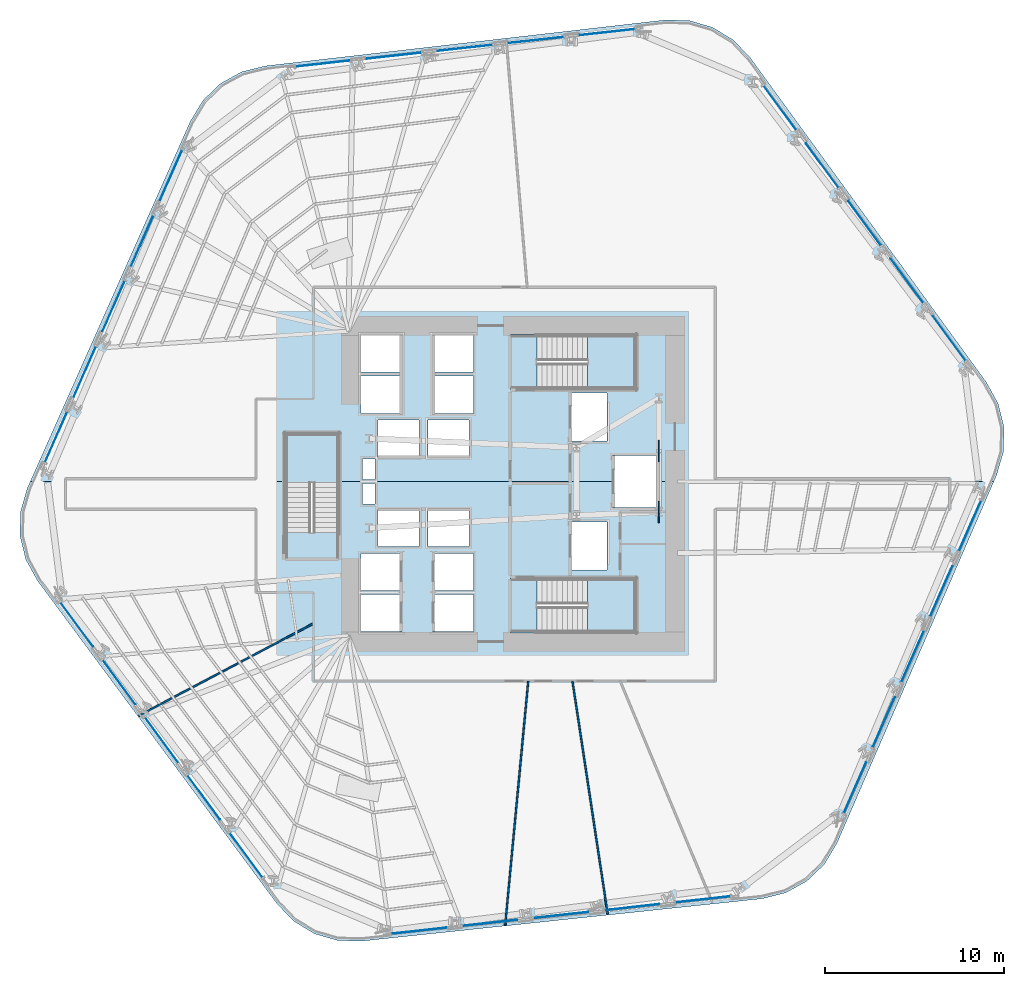
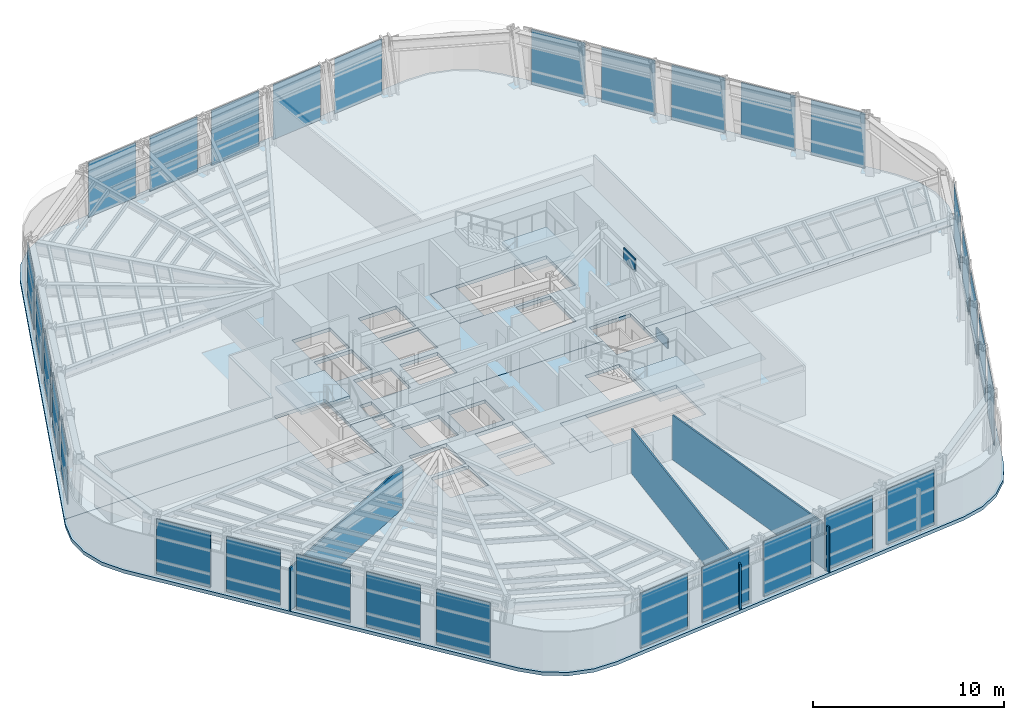
# One storey, part 7 of 16: 32 plates, 8 slabs, 3 walls, 9 elements without a shape of their own.
"""IFC4 building model written with IfcOpenShell, lengths in metres."""

from ifc_helpers import new_model, si_unit, direction, frame, frame_2d, origin, origin_2d, place, context, subcontext, project, spatial, polyline, rectangle, outline, extrude, material, layer, layer_set, type_object, element, aggregate, save


model = new_model("IFC4")

# Units and contexts
model_context = context("Model", 3, precision=1e-05, world=origin(), true_north=direction((0.0, 1.0)))
body_context = subcontext(model_context, "Body", "Model", "MODEL_VIEW")
ifc_project = project(units=[si_unit("LENGTHUNIT", "METRE"), si_unit("AREAUNIT", "SQUARE_METRE"), si_unit("VOLUMEUNIT", "CUBIC_METRE"), si_unit("PLANEANGLEUNIT", "RADIAN"), si_unit("MASSUNIT", "GRAM", prefix="KILO")], contexts=[model_context])

# Site, building, storey
site_placement = place(None, origin())
site = spatial("IfcSite", under=ifc_project, at=site_placement, CompositionType="ELEMENT")
building_placement = place(site_placement, origin())
building = spatial("IfcBuilding", under=site, at=building_placement, Name="Valkerne Bourse Tower", CompositionType="ELEMENT")
storey_placement = place(building_placement, frame((0.0, 0.0, 50.60009765625)))
storey = spatial("IfcBuildingStorey", under=building, at=storey_placement, Name="L12", CompositionType="ELEMENT", Elevation=50.60009765625)

# Curtain wall, plates
ifc_material_1 = material(Name="Aluminium AA 6063-T6", Category="aluminium")
ifc_layer_1 = layer(ifc_material_1, 0.22509765625)
ifc_layer_set_1 = layer_set([ifc_layer_1], Name="Aluminium AA 6063-T6")
curtain_wall_type = type_object("IfcCurtainWallType", Name="CW-01", PredefinedType="NOTDEFINED", material=ifc_layer_set_1)
curtain_wall_1_placement = place(storey_placement, origin())
curtain_wall_1 = element("IfcCurtainWall", 1, at=curtain_wall_1_placement, inside=storey, type_object=curtain_wall_type, Name="L12 Hexagonal Stick Curtain Wall Face 1", PredefinedType="NOTDEFINED")
ifc_material_2 = material(Name="Glass IGU Low-E Double Glazed", Category="glass")
ifc_layer_2 = layer(ifc_material_2, 0.031982421875)
ifc_layer_set_2 = layer_set([ifc_layer_2], Name="Glass IGU Low-E Double Glazed")
plate_type_1 = type_object("IfcPlateType", Name="CW-PNL-IGU-32", PredefinedType="CURTAIN_PANEL", material=ifc_layer_set_2)
plate_1_placement = place(storey_placement, frame((71.173583984375, 34.98779296875, 0.02978515625), z_axis=(0.0, 0.0, 1.0), x_axis=(-0.592010093635, 0.805930548518, 0.0)))
plate_1 = element("IfcPlate", 2, at=plate_1_placement, type_object=plate_type_1, Name="CW-L12-F1 Curtain Panel 00", PredefinedType="CURTAIN_PANEL", context=body_context, shape_type="SweptSolid", body=[
    extrude(rectangle(XDim=3.075927734375, YDim=0.031982421875, at=origin_2d()), origin(), (0.0, 0.0, 1.0), 3.52001953125),
])
plate_2_placement = place(storey_placement, frame((68.80810546875, 38.208251953125, 0.02978515625), z_axis=(0.0, 0.0, 1.0), x_axis=(-0.592014408049, 0.805927379273, 0.0)))
plate_2 = element("IfcPlate", 3, at=plate_2_placement, type_object=plate_type_1, Name="CW-L12-F1 Curtain Panel 01", PredefinedType="CURTAIN_PANEL", context=body_context, shape_type="SweptSolid", body=[
    extrude(rectangle(XDim=3.075927734375, YDim=0.031982421875, at=origin_2d()), origin(), (0.0, 0.0, 1.0), 3.52001953125),
])
plate_3_placement = place(storey_placement, frame((66.4423828125, 41.4287109375, 0.02978515625), z_axis=(0.0, 0.0, 1.0), x_axis=(-0.592014408049, 0.805927379273, 0.0)))
plate_3 = element("IfcPlate", 4, at=plate_3_placement, type_object=plate_type_1, Name="CW-L12-F1 Curtain Panel 02", PredefinedType="CURTAIN_PANEL", context=body_context, shape_type="SweptSolid", body=[
    extrude(rectangle(XDim=3.075927734375, YDim=0.031982421875, at=origin_2d()), origin(), (0.0, 0.0, 1.0), 3.52001953125),
])
plate_4_placement = place(storey_placement, frame((64.07666015625, 44.649169921875, 0.02978515625), z_axis=(0.0, 0.0, 1.0), x_axis=(-0.592014408049, 0.805927379273, 0.0)))
plate_4 = element("IfcPlate", 5, at=plate_4_placement, type_object=plate_type_1, Name="CW-L12-F1 Curtain Panel 03", PredefinedType="CURTAIN_PANEL", context=body_context, shape_type="SweptSolid", body=[
    extrude(rectangle(XDim=3.075927734375, YDim=0.031982421875, at=origin_2d()), origin(), (0.0, 0.0, 1.0), 3.52001953125),
])
plate_5_placement = place(storey_placement, frame((61.7109375, 47.86962890625, 0.02978515625), z_axis=(0.0, 0.0, 1.0), x_axis=(-0.592014408049, 0.805927379273, 0.0)))
plate_5 = element("IfcPlate", 6, at=plate_5_placement, type_object=plate_type_1, Name="CW-L12-F1 Curtain Panel 04", PredefinedType="CURTAIN_PANEL", context=body_context, shape_type="SweptSolid", body=[
    extrude(rectangle(XDim=3.075927734375, YDim=0.031982421875, at=origin_2d()), origin(), (0.0, 0.0, 1.0), 3.52001953125),
])
aggregate(curtain_wall_1, [plate_1, plate_2, plate_3, plate_4, plate_5])

curtain_wall_2_placement = place(storey_placement, origin())
curtain_wall_2 = element("IfcCurtainWall", 7, at=curtain_wall_2_placement, inside=storey, type_object=curtain_wall_type, Name="L12 Hexagonal Stick Curtain Wall Face 2", PredefinedType="NOTDEFINED")
plate_6_placement = place(storey_placement, frame((52.069091796875, 52.10205078125, 0.02978515625), z_axis=(0.0, 0.0, 1.0), x_axis=(-0.993961005743, -0.109733855587, 0.0)))
plate_6 = element("IfcPlate", 8, at=plate_6_placement, type_object=plate_type_1, Name="CW-L12-F2 Curtain Panel 00", PredefinedType="CURTAIN_PANEL", context=body_context, shape_type="SweptSolid", body=[
    extrude(rectangle(XDim=3.075927734375, YDim=0.031982421875, at=origin_2d()), origin(), (0.0, 0.0, 1.0), 3.52001953125),
])
plate_7_placement = place(storey_placement, frame((48.097412109375, 51.66357421875, 0.02978515625), z_axis=(0.0, 0.0, 1.0), x_axis=(-0.993960704395, -0.109736585139, 0.0)))
plate_7 = element("IfcPlate", 9, at=plate_7_placement, type_object=plate_type_1, Name="CW-L12-F2 Curtain Panel 01", PredefinedType="CURTAIN_PANEL", context=body_context, shape_type="SweptSolid", body=[
    extrude(rectangle(XDim=3.075927734375, YDim=0.031982421875, at=origin_2d()), origin(), (0.0, 0.0, 1.0), 3.52001953125),
])
plate_8_placement = place(storey_placement, frame((44.12548828125, 51.22509765625, 0.02978515625), z_axis=(0.0, 0.0, 1.0), x_axis=(-0.993961005743, -0.109733855587, 0.0)))
plate_8 = element("IfcPlate", 10, at=plate_8_placement, type_object=plate_type_1, Name="CW-L12-F2 Curtain Panel 02", PredefinedType="CURTAIN_PANEL", context=body_context, shape_type="SweptSolid", body=[
    extrude(rectangle(XDim=3.075927734375, YDim=0.031982421875, at=origin_2d()), origin(), (0.0, 0.0, 1.0), 3.52001953125),
])
plate_9_placement = place(storey_placement, frame((40.153564453125, 50.78662109375, 0.02978515625), z_axis=(0.0, 0.0, 1.0), x_axis=(-0.993961005743, -0.109733855587, 0.0)))
plate_9 = element("IfcPlate", 11, at=plate_9_placement, type_object=plate_type_1, Name="CW-L12-F2 Curtain Panel 03", PredefinedType="CURTAIN_PANEL", context=body_context, shape_type="SweptSolid", body=[
    extrude(rectangle(XDim=3.075927734375, YDim=0.031982421875, at=origin_2d()), origin(), (0.0, 0.0, 1.0), 3.52001953125),
])
plate_10_placement = place(storey_placement, frame((36.181884765625, 50.347900390625, 0.02978515625), z_axis=(0.0, 0.0, 1.0), x_axis=(-0.993960704395, -0.109736585139, 0.0)))
plate_10 = element("IfcPlate", 12, at=plate_10_placement, type_object=plate_type_1, Name="CW-L12-F2 Curtain Panel 04", PredefinedType="CURTAIN_PANEL", context=body_context, shape_type="SweptSolid", body=[
    extrude(rectangle(XDim=3.075927734375, YDim=0.031982421875, at=origin_2d()), origin(), (0.0, 0.0, 1.0), 3.52001953125),
])
aggregate(curtain_wall_2, [plate_6, plate_7, plate_8, plate_9, plate_10])

curtain_wall_3_placement = place(storey_placement, origin())
curtain_wall_3 = element("IfcCurtainWall", 13, at=curtain_wall_3_placement, inside=storey, type_object=curtain_wall_type, Name="L12 Hexagonal Stick Curtain Wall Face 3", PredefinedType="NOTDEFINED")
plate_11_placement = place(storey_placement, frame((27.69580078125, 44.114501953125, 0.02978515625), z_axis=(0.0, 0.0, 1.0), x_axis=(-0.401950146606, -0.915661553001, 0.0)))
plate_11 = element("IfcPlate", 14, at=plate_11_placement, type_object=plate_type_1, Name="CW-L12-F3 Curtain Panel 00", PredefinedType="CURTAIN_PANEL", context=body_context, shape_type="SweptSolid", body=[
    extrude(rectangle(XDim=3.076171875, YDim=0.031982421875, at=origin_2d()), origin(), (0.0, 0.0, 1.0), 3.52001953125),
])
plate_12_placement = place(storey_placement, frame((26.089599609375, 40.455322265625, 0.02978515625), z_axis=(0.0, 0.0, 1.0), x_axis=(-0.401950146606, -0.915661553001, 0.0)))
plate_12 = element("IfcPlate", 15, at=plate_12_placement, type_object=plate_type_1, Name="CW-L12-F3 Curtain Panel 01", PredefinedType="CURTAIN_PANEL", context=body_context, shape_type="SweptSolid", body=[
    extrude(rectangle(XDim=3.076171875, YDim=0.031982421875, at=origin_2d()), origin(), (0.0, 0.0, 1.0), 3.52001953125),
])
plate_13_placement = place(storey_placement, frame((24.4833984375, 36.79638671875, 0.02978515625), z_axis=(0.0, 0.0, 1.0), x_axis=(-0.401950146606, -0.915661553001, 0.0)))
plate_13 = element("IfcPlate", 16, at=plate_13_placement, type_object=plate_type_1, Name="CW-L12-F3 Curtain Panel 02", PredefinedType="CURTAIN_PANEL", context=body_context, shape_type="SweptSolid", body=[
    extrude(rectangle(XDim=3.076171875, YDim=0.031982421875, at=origin_2d()), origin(), (0.0, 0.0, 1.0), 3.52001953125),
])
plate_14_placement = place(storey_placement, frame((22.877197265625, 33.13720703125, 0.02978515625), z_axis=(0.0, 0.0, 1.0), x_axis=(-0.401950146606, -0.915661553001, 0.0)))
plate_14 = element("IfcPlate", 17, at=plate_14_placement, type_object=plate_type_1, Name="CW-L12-F3 Curtain Panel 03", PredefinedType="CURTAIN_PANEL", context=body_context, shape_type="SweptSolid", body=[
    extrude(rectangle(XDim=3.076171875, YDim=0.031982421875, at=origin_2d()), origin(), (0.0, 0.0, 1.0), 3.52001953125),
])
plate_15_placement = place(storey_placement, frame((21.27099609375, 29.478271484375, 0.02978515625), z_axis=(0.0, 0.0, 1.0), x_axis=(-0.401929164496, -0.915670763281, 0.0)))
plate_15 = element("IfcPlate", 18, at=plate_15_placement, type_object=plate_type_1, Name="CW-L12-F3 Curtain Panel 04", PredefinedType="CURTAIN_PANEL", context=body_context, shape_type="SweptSolid", body=[
    extrude(rectangle(XDim=3.075927734375, YDim=0.031982421875, at=origin_2d()), origin(), (0.0, 0.0, 1.0), 3.52001953125),
])
aggregate(curtain_wall_3, [plate_11, plate_12, plate_13, plate_14, plate_15])

curtain_wall_4_placement = place(storey_placement, origin())
curtain_wall_4 = element("IfcCurtainWall", 19, at=curtain_wall_4_placement, inside=storey, type_object=curtain_wall_type, Name="L12 Hexagonal Stick Curtain Wall Face 4", PredefinedType="NOTDEFINED")
plate_16_placement = place(storey_placement, frame((22.42626953125, 19.01220703125, 0.02978515625), z_axis=(0.0, 0.0, 1.0), x_axis=(0.592010093635, -0.805930548518, 0.0)))
plate_16 = element("IfcPlate", 20, at=plate_16_placement, type_object=plate_type_1, Name="CW-L12-F4 Curtain Panel 00", PredefinedType="CURTAIN_PANEL", context=body_context, shape_type="SweptSolid", body=[
    extrude(rectangle(XDim=3.075927734375, YDim=0.031982421875, at=origin_2d()), origin(), (0.0, 0.0, 1.0), 3.52001953125),
])
plate_17_placement = place(storey_placement, frame((24.7919921875, 15.7919921875, 0.02978515625), z_axis=(0.0, 0.0, 1.0), x_axis=(0.592014408049, -0.805927379273, 0.0)))
plate_17 = element("IfcPlate", 21, at=plate_17_placement, type_object=plate_type_1, Name="CW-L12-F4 Curtain Panel 01", PredefinedType="CURTAIN_PANEL", context=body_context, shape_type="SweptSolid", body=[
    extrude(rectangle(XDim=3.075927734375, YDim=0.031982421875, at=origin_2d()), origin(), (0.0, 0.0, 1.0), 3.52001953125),
])
plate_18_placement = place(storey_placement, frame((27.15771484375, 12.5712890625, 0.02978515625), z_axis=(0.0, 0.0, 1.0), x_axis=(0.592014408049, -0.805927379273, 0.0)))
plate_18 = element("IfcPlate", 22, at=plate_18_placement, type_object=plate_type_1, Name="CW-L12-F4 Curtain Panel 02", PredefinedType="CURTAIN_PANEL", context=body_context, shape_type="SweptSolid", body=[
    extrude(rectangle(XDim=3.075927734375, YDim=0.031982421875, at=origin_2d()), origin(), (0.0, 0.0, 1.0), 3.52001953125),
])
plate_19_placement = place(storey_placement, frame((29.5234375, 9.350830078125, 0.02978515625), z_axis=(0.0, 0.0, 1.0), x_axis=(0.592014408049, -0.805927379273, 0.0)))
plate_19 = element("IfcPlate", 23, at=plate_19_placement, type_object=plate_type_1, Name="CW-L12-F4 Curtain Panel 03", PredefinedType="CURTAIN_PANEL", context=body_context, shape_type="SweptSolid", body=[
    extrude(rectangle(XDim=3.075927734375, YDim=0.031982421875, at=origin_2d()), origin(), (0.0, 0.0, 1.0), 3.52001953125),
])
plate_20_placement = place(storey_placement, frame((31.88916015625, 6.13037109375, 0.02978515625), z_axis=(0.0, 0.0, 1.0), x_axis=(0.592014408049, -0.805927379273, 0.0)))
plate_20 = element("IfcPlate", 24, at=plate_20_placement, type_object=plate_type_1, Name="CW-L12-F4 Curtain Panel 04", PredefinedType="CURTAIN_PANEL", context=body_context, shape_type="SweptSolid", body=[
    extrude(rectangle(XDim=3.075927734375, YDim=0.031982421875, at=origin_2d()), origin(), (0.0, 0.0, 1.0), 3.52001953125),
])
aggregate(curtain_wall_4, [plate_16, plate_17, plate_18, plate_19, plate_20])

curtain_wall_5_placement = place(storey_placement, origin())
curtain_wall_5 = element("IfcCurtainWall", 25, at=curtain_wall_5_placement, inside=storey, type_object=curtain_wall_type, Name="L12 Hexagonal Stick Curtain Wall Face 5", PredefinedType="NOTDEFINED")
plate_21_placement = place(storey_placement, frame((41.53076171875, 1.89794921875, 0.02978515625), z_axis=(0.0, 0.0, 1.0), x_axis=(0.993961005743, 0.109733855587, 0.0)))
plate_21 = element("IfcPlate", 26, at=plate_21_placement, type_object=plate_type_1, Name="CW-L12-F5 Curtain Panel 00", PredefinedType="CURTAIN_PANEL", context=body_context, shape_type="SweptSolid", body=[
    extrude(rectangle(XDim=3.075927734375, YDim=0.031982421875, at=origin_2d()), origin(), (0.0, 0.0, 1.0), 3.52001953125),
])
plate_22_placement = place(storey_placement, frame((45.502685546875, 2.33642578125, 0.02978515625), z_axis=(0.0, 0.0, 1.0), x_axis=(0.993960704395, 0.109736585139, 0.0)))
plate_22 = element("IfcPlate", 27, at=plate_22_placement, type_object=plate_type_1, Name="CW-L12-F5 Curtain Panel 01", PredefinedType="CURTAIN_PANEL", context=body_context, shape_type="SweptSolid", body=[
    extrude(rectangle(XDim=3.075927734375, YDim=0.031982421875, at=origin_2d()), origin(), (0.0, 0.0, 1.0), 3.52001953125),
])
plate_23_placement = place(storey_placement, frame((49.474609375, 2.77490234375, 0.02978515625), z_axis=(0.0, 0.0, 1.0), x_axis=(0.993961005743, 0.109733855587, 0.0)))
plate_23 = element("IfcPlate", 28, at=plate_23_placement, type_object=plate_type_1, Name="CW-L12-F5 Curtain Panel 02", PredefinedType="CURTAIN_PANEL", context=body_context, shape_type="SweptSolid", body=[
    extrude(rectangle(XDim=3.075927734375, YDim=0.031982421875, at=origin_2d()), origin(), (0.0, 0.0, 1.0), 3.52001953125),
])
plate_24_placement = place(storey_placement, frame((53.4462890625, 3.21337890625, 0.02978515625), z_axis=(0.0, 0.0, 1.0), x_axis=(0.993961005743, 0.109733855587, 0.0)))
plate_24 = element("IfcPlate", 29, at=plate_24_placement, type_object=plate_type_1, Name="CW-L12-F5 Curtain Panel 03", PredefinedType="CURTAIN_PANEL", context=body_context, shape_type="SweptSolid", body=[
    extrude(rectangle(XDim=3.075927734375, YDim=0.031982421875, at=origin_2d()), origin(), (0.0, 0.0, 1.0), 3.52001953125),
])
plate_25_placement = place(storey_placement, frame((57.418212890625, 3.652099609375, 0.02978515625), z_axis=(0.0, 0.0, 1.0), x_axis=(0.993960704395, 0.109736585139, 0.0)))
plate_25 = element("IfcPlate", 30, at=plate_25_placement, type_object=plate_type_1, Name="CW-L12-F5 Curtain Panel 04", PredefinedType="CURTAIN_PANEL", context=body_context, shape_type="SweptSolid", body=[
    extrude(rectangle(XDim=3.075927734375, YDim=0.031982421875, at=origin_2d()), origin(), (0.0, 0.0, 1.0), 3.52001953125),
])
aggregate(curtain_wall_5, [plate_21, plate_22, plate_23, plate_24, plate_25])

curtain_wall_6_placement = place(storey_placement, origin())
curtain_wall_6 = element("IfcCurtainWall", 31, at=curtain_wall_6_placement, inside=storey, type_object=curtain_wall_type, Name="L12 Hexagonal Stick Curtain Wall Face 6", PredefinedType="NOTDEFINED")
plate_26_placement = place(storey_placement, frame((65.904296875, 9.8857421875, 0.02978515625), z_axis=(0.0, 0.0, 1.0), x_axis=(0.401950146606, 0.915661553001, 0.0)))
plate_26 = element("IfcPlate", 32, at=plate_26_placement, type_object=plate_type_1, Name="CW-L12-F6 Curtain Panel 00", PredefinedType="CURTAIN_PANEL", context=body_context, shape_type="SweptSolid", body=[
    extrude(rectangle(XDim=3.076171875, YDim=0.031982421875, at=origin_2d()), origin(), (0.0, 0.0, 1.0), 3.52001953125),
])
plate_27_placement = place(storey_placement, frame((67.510498046875, 13.544677734375, 0.02978515625), z_axis=(0.0, 0.0, 1.0), x_axis=(0.401950146606, 0.915661553001, 0.0)))
plate_27 = element("IfcPlate", 33, at=plate_27_placement, type_object=plate_type_1, Name="CW-L12-F6 Curtain Panel 01", PredefinedType="CURTAIN_PANEL", context=body_context, shape_type="SweptSolid", body=[
    extrude(rectangle(XDim=3.076171875, YDim=0.031982421875, at=origin_2d()), origin(), (0.0, 0.0, 1.0), 3.52001953125),
])
plate_28_placement = place(storey_placement, frame((69.11669921875, 17.20361328125, 0.02978515625), z_axis=(0.0, 0.0, 1.0), x_axis=(0.401950146606, 0.915661553001, 0.0)))
plate_28 = element("IfcPlate", 34, at=plate_28_placement, type_object=plate_type_1, Name="CW-L12-F6 Curtain Panel 02", PredefinedType="CURTAIN_PANEL", context=body_context, shape_type="SweptSolid", body=[
    extrude(rectangle(XDim=3.076171875, YDim=0.031982421875, at=origin_2d()), origin(), (0.0, 0.0, 1.0), 3.52001953125),
])
plate_29_placement = place(storey_placement, frame((70.722900390625, 20.86279296875, 0.02978515625), z_axis=(0.0, 0.0, 1.0), x_axis=(0.401950146606, 0.915661553001, 0.0)))
plate_29 = element("IfcPlate", 35, at=plate_29_placement, type_object=plate_type_1, Name="CW-L12-F6 Curtain Panel 03", PredefinedType="CURTAIN_PANEL", context=body_context, shape_type="SweptSolid", body=[
    extrude(rectangle(XDim=3.076171875, YDim=0.031982421875, at=origin_2d()), origin(), (0.0, 0.0, 1.0), 3.52001953125),
])
plate_30_placement = place(storey_placement, frame((72.3291015625, 24.521728515625, 0.02978515625), z_axis=(0.0, 0.0, 1.0), x_axis=(0.401929164496, 0.915670763281, 0.0)))
plate_30 = element("IfcPlate", 36, at=plate_30_placement, type_object=plate_type_1, Name="CW-L12-F6 Curtain Panel 04", PredefinedType="CURTAIN_PANEL", context=body_context, shape_type="SweptSolid", body=[
    extrude(rectangle(XDim=3.075927734375, YDim=0.031982421875, at=origin_2d()), origin(), (0.0, 0.0, 1.0), 3.52001953125),
])
aggregate(curtain_wall_6, [plate_26, plate_27, plate_28, plate_29, plate_30])

# Plates
ifc_material_3 = material(Name="Steel ASTM A572 Grade 50", Category="steel")
ifc_layer_3 = layer(ifc_material_3, 0.06005859375)
ifc_layer_set_3 = layer_set([ifc_layer_3], Name="Steel ASTM A572 Grade 50")
plate_type_2 = type_object("IfcPlateType", Name="PLT-GUS-60", PredefinedType="SHEET", material=ifc_layer_set_3)
for number, where, z_axis, x_axis, name in (
    (37, (54.949951171875, 25.300048828125, -0.18017578125), (0.0, 0.0, 1.0), (0.0, 1.0, 0.0), "L12 Brace Node Gusset Plate PLT-GUS-END-L12-340"),
    (38, (54.949951171875, 28.699951171875, 2.8740234375), (0.0, 0.0, 1.0), (0.0, 1.0, 0.0), "L12 Brace Node Gusset Plate PLT-GUS-END-L12-341"),
):
    element("IfcPlate", number, at=place(storey_placement, frame(where, z_axis=z_axis, x_axis=x_axis)), inside=storey, type_object=plate_type_2, Name=name, PredefinedType="SHEET", context=body_context, shape_type="SweptSolid", body=[
        extrude(rectangle(XDim=1.199951171875, YDim=0.06005859375, at=origin_2d()), origin(), (0.0, 0.0, 1.0), 0.800048828125),
    ])

# Slabs
ifc_material_4 = material(Name="Concrete C40/50", Category="concrete")
ifc_layer_4 = layer(ifc_material_4, 0.25)
ifc_layer_set_4 = layer_set([ifc_layer_4], Name="Concrete C40/50")
slab_type_1 = type_object("IfcSlabType", Name="SLB-RMP-LND-250", PredefinedType="LANDING", material=ifc_layer_set_4)
slab_1_placement = place(storey_placement, frame((0.0, 0.0, -0.22021484375)))
element("IfcSlab", 39, at=slab_1_placement, inside=storey, type_object=slab_type_1, Name="L12 ST-1 Floor Landing Slab", PredefinedType="LANDING", context=body_context, shape_type="SweptSolid", body=[
    extrude(outline(polyline([(46.669921875, 18.5400390625), (48.14990234375, 18.5400390625), (48.14990234375, 21.610107421875), (46.669921875, 21.610107421875), (46.669921875, 18.5400390625)])), origin(), (0.0, 0.0, 1.0), 0.22021484375),
])
slab_2_placement = place(storey_placement, frame((0.0, 0.0, -0.22021484375)))
element("IfcSlab", 40, at=slab_2_placement, inside=storey, type_object=slab_type_1, Name="L12 ST-2 Floor Landing Slab", PredefinedType="LANDING", context=body_context, shape_type="SweptSolid", body=[
    extrude(outline(polyline([(46.669921875, 32.139892578125), (48.14990234375, 32.139892578125), (48.14990234375, 35.2099609375), (46.669921875, 35.2099609375), (46.669921875, 32.139892578125)])), origin(), (0.0, 0.0, 1.0), 0.22021484375),
])
slab_3_placement = place(storey_placement, frame((0.0, 0.0, -0.22021484375)))
element("IfcSlab", 41, at=slab_3_placement, inside=storey, type_object=slab_type_1, Name="L12 ST-3 Floor Landing Slab", PredefinedType="LANDING", context=body_context, shape_type="SweptSolid", body=[
    extrude(outline(polyline([(37.110107421875, 22.669921875), (37.110107421875, 24.14990234375), (34.0400390625, 24.14990234375), (34.0400390625, 22.669921875), (37.110107421875, 22.669921875)])), origin(), (0.0, 0.0, 1.0), 0.22021484375),
])

# Stair, slab
stair_type = type_object("IfcStairType", Name="ST-CORE-1400", PredefinedType="HALF_TURN_STAIR", material=ifc_material_4)
stair_1_placement = place(storey_placement, origin())
stair_1 = element("IfcStair", 42, at=stair_1_placement, inside=storey, type_object=stair_type, Name="L12 ST-1", PredefinedType="HALF_TURN_STAIR")
ifc_layer_5 = layer(ifc_material_4, 0.179931640625)
ifc_layer_set_5 = layer_set([ifc_layer_5], Name="Concrete C40/50")
slab_type_2 = type_object("IfcSlabType", Name="SLB-ST-LND-180", PredefinedType="LANDING", material=ifc_layer_set_5)
slab_4_placement = place(storey_placement, frame((0.0, 0.0, 1.699951171875)))
slab_4 = element("IfcSlab", 43, at=slab_4_placement, type_object=slab_type_2, Name="ST-1 landing 1", PredefinedType="LANDING", context=body_context, shape_type="SweptSolid", body=[
    extrude(outline(polyline([(50.949951171875, 18.60009765625), (53.64990234375, 18.60009765625), (53.64990234375, 21.550048828125), (50.949951171875, 21.550048828125), (50.949951171875, 18.60009765625)])), origin(), (0.0, 0.0, 1.0), 0.199951171875),
])
aggregate(stair_1, [slab_4])

stair_2_placement = place(storey_placement, origin())
stair_2 = element("IfcStair", 44, at=stair_2_placement, inside=storey, type_object=stair_type, Name="L12 ST-2", PredefinedType="HALF_TURN_STAIR")
slab_5_placement = place(storey_placement, frame((0.0, 0.0, 1.699951171875)))
slab_5 = element("IfcSlab", 45, at=slab_5_placement, type_object=slab_type_2, Name="ST-2 landing 1", PredefinedType="LANDING", context=body_context, shape_type="SweptSolid", body=[
    extrude(outline(polyline([(50.949951171875, 32.199951171875), (53.64990234375, 32.199951171875), (53.64990234375, 35.14990234375), (50.949951171875, 35.14990234375), (50.949951171875, 32.199951171875)])), origin(), (0.0, 0.0, 1.0), 0.199951171875),
])
aggregate(stair_2, [slab_5])

stair_3_placement = place(storey_placement, origin())
stair_3 = element("IfcStair", 46, at=stair_3_placement, inside=storey, type_object=stair_type, Name="L12 ST-3", PredefinedType="HALF_TURN_STAIR")
slab_6_placement = place(storey_placement, frame((0.0, 0.0, 1.699951171875)))
slab_6 = element("IfcSlab", 47, at=slab_6_placement, type_object=slab_type_2, Name="ST-3 landing 1", PredefinedType="LANDING", context=body_context, shape_type="SweptSolid", body=[
    extrude(outline(polyline([(37.050048828125, 26.949951171875), (37.050048828125, 29.64990234375), (34.10009765625, 29.64990234375), (34.10009765625, 26.949951171875), (37.050048828125, 26.949951171875)])), origin(), (0.0, 0.0, 1.0), 0.199951171875),
])
aggregate(stair_3, [slab_6])

# Slabs
ifc_layer_6 = layer(ifc_material_4, 0.219970703125)
ifc_layer_set_6 = layer_set([ifc_layer_6], Name="Concrete C40/50")
slab_type_3 = type_object("IfcSlabType", Name="SLB-TOW-220", PredefinedType="FLOOR", material=ifc_layer_set_6)
slab_7_placement = place(storey_placement, frame((0.0, 0.0, -0.22021484375)))
element("IfcSlab", 48, at=slab_7_placement, inside=storey, type_object=slab_type_3, Name="L12 Hexagonal Composite Floor Slab S", PredefinedType="FLOOR", context=body_context, shape_type="SweptSolid", body=[
    extrude(outline(polyline([(64.185791015625, 5.60546875), (63.2060546875, 4.666015625), (62.0166015625, 4.011962890625), (60.6982421875, 3.68798828125), (38.368896484375, 1.32470703125), (37.01171875, 1.35302734375), (35.7080078125, 1.731689453125), (34.546875, 2.43505859375), (33.607421875, 3.414794921875), (20.23291015625, 21.451171875), (19.578857421875, 22.640625), (19.255126953125, 23.958984375), (19.283447265625, 25.316162109375), (19.662109375, 26.619873046875), (19.8310546875, 27.0), (34.034912109375, 27.0), (34.034912109375, 22.6650390625), (37.114990234375, 22.6650390625), (37.114990234375, 27.0), (52.360107421875, 27.0), (52.360107421875, 25.56005859375), (54.840087890625, 25.56005859375), (54.840087890625, 27.0), (73.66259765625, 27.0), (64.888916015625, 6.7666015625), (64.185791015625, 5.60546875)]), holes=[polyline([(40.590087890625, 20.68994140625), (38.31005859375, 20.68994140625), (38.31005859375, 18.610107421875), (40.590087890625, 18.610107421875), (40.590087890625, 20.68994140625)]), polyline([(40.590087890625, 22.989990234375), (38.31005859375, 22.989990234375), (38.31005859375, 20.909912109375), (40.590087890625, 20.909912109375), (40.590087890625, 22.989990234375)]), polyline([(41.5400390625, 25.43994140625), (39.260009765625, 25.43994140625), (39.260009765625, 23.360107421875), (41.5400390625, 23.360107421875), (41.5400390625, 25.43994140625)]), polyline([(39.10009765625, 25.72998046875), (39.10009765625, 26.89990234375), (38.3798828125, 26.89990234375), (38.3798828125, 25.72998046875), (39.10009765625, 25.72998046875)]), polyline([(44.590087890625, 20.68994140625), (42.31005859375, 20.68994140625), (42.31005859375, 18.610107421875), (44.590087890625, 18.610107421875), (44.590087890625, 20.68994140625)]), polyline([(53.675048828125, 21.614990234375), (46.6650390625, 21.614990234375), (46.6650390625, 18.534912109375), (53.675048828125, 18.534912109375), (53.675048828125, 21.614990234375)]), polyline([(44.590087890625, 22.989990234375), (42.31005859375, 22.989990234375), (42.31005859375, 20.909912109375), (44.590087890625, 20.909912109375), (44.590087890625, 22.989990234375)]), polyline([(52.0400390625, 22.06005859375), (52.0400390625, 24.739990234375), (49.9599609375, 24.739990234375), (49.9599609375, 22.06005859375), (52.0400390625, 22.06005859375)]), polyline([(44.340087890625, 23.360107421875), (44.340087890625, 25.43994140625), (42.06005859375, 25.43994140625), (42.06005859375, 23.360107421875), (44.340087890625, 23.360107421875)])]), origin(), (0.0, 0.0, 1.0), 0.22021484375),
])
slab_8_placement = place(storey_placement, frame((0.0, 0.0, -0.22021484375)))
element("IfcSlab", 49, at=slab_8_placement, inside=storey, type_object=slab_type_3, Name="L12 Hexagonal Composite Floor Slab N", PredefinedType="FLOOR", context=body_context, shape_type="SweptSolid", body=[
    extrude(outline(polyline([(28.780029296875, 47.139404296875), (29.4833984375, 48.300537109375), (30.463134765625, 49.239990234375), (31.652587890625, 49.89404296875), (32.970947265625, 50.2177734375), (55.278076171875, 52.7822265625), (56.63525390625, 52.75390625), (57.93896484375, 52.375), (59.10009765625, 51.671875), (60.03955078125, 50.692138671875), (73.251220703125, 32.535888671875), (73.905029296875, 31.346435546875), (74.22900390625, 30.0283203125), (74.200439453125, 28.6708984375), (73.82177734375, 27.367431640625), (73.66259765625, 27.0), (54.840087890625, 27.0), (54.840087890625, 28.43994140625), (52.360107421875, 28.43994140625), (52.360107421875, 27.0), (37.114990234375, 27.0), (37.114990234375, 29.675048828125), (34.034912109375, 29.675048828125), (34.034912109375, 27.0), (19.8310546875, 27.0), (28.780029296875, 47.139404296875)]), holes=[polyline([(39.10009765625, 28.27001953125), (38.3798828125, 28.27001953125), (38.3798828125, 27.10009765625), (39.10009765625, 27.10009765625), (39.10009765625, 28.27001953125)]), polyline([(41.5400390625, 30.43994140625), (39.260009765625, 30.43994140625), (39.260009765625, 28.360107421875), (41.5400390625, 28.360107421875), (41.5400390625, 30.43994140625)]), polyline([(44.340087890625, 30.43994140625), (42.06005859375, 30.43994140625), (42.06005859375, 28.360107421875), (44.340087890625, 28.360107421875), (44.340087890625, 30.43994140625)]), polyline([(40.590087890625, 30.81005859375), (40.590087890625, 32.889892578125), (38.31005859375, 32.889892578125), (38.31005859375, 30.81005859375), (40.590087890625, 30.81005859375)]), polyline([(40.590087890625, 33.110107421875), (40.590087890625, 35.18994140625), (38.31005859375, 35.18994140625), (38.31005859375, 33.110107421875), (40.590087890625, 33.110107421875)]), polyline([(52.0400390625, 31.93994140625), (49.9599609375, 31.93994140625), (49.9599609375, 29.260009765625), (52.0400390625, 29.260009765625), (52.0400390625, 31.93994140625)]), polyline([(44.590087890625, 32.889892578125), (42.31005859375, 32.889892578125), (42.31005859375, 30.81005859375), (44.590087890625, 30.81005859375), (44.590087890625, 32.889892578125)]), polyline([(53.675048828125, 32.135009765625), (53.675048828125, 35.215087890625), (46.6650390625, 35.215087890625), (46.6650390625, 32.135009765625), (53.675048828125, 32.135009765625)]), polyline([(44.590087890625, 33.110107421875), (44.590087890625, 35.18994140625), (42.31005859375, 35.18994140625), (42.31005859375, 33.110107421875), (44.590087890625, 33.110107421875)])]), origin(), (0.0, 0.0, 1.0), 0.22021484375),
])

# Walls
ifc_material_5 = material(Name="Gypsum Board Steel-Stud Partition", Category="steel")
ifc_layer_7 = layer(ifc_material_5, 0.092041015625)
ifc_layer_set_7 = layer_set([ifc_layer_7], Name="Gypsum Board Steel-Stud Partition")
wall_type = type_object("IfcWallType", Name="W-PART-115", PredefinedType="PARTITIONING", material=ifc_layer_set_7)
wall_1_placement = place(storey_placement, frame((47.6494140625, 15.844970703125, 0.0), z_axis=(0.0, 0.0, 1.0), x_axis=(-0.094105032234, -0.995562274751, 0.0)))
element("IfcWall", 50, at=wall_1_placement, inside=storey, type_object=wall_type, Name="L12 Suite Partition P01", PredefinedType="PARTITIONING", context=body_context, shape_type="SweptSolid", body=[
    extrude(rectangle(XDim=13.664306640625, YDim=0.092041015625, at=frame_2d((6.83203125, 0.0))), origin(), (0.0, 0.0, 1.0), 2.86376953125),
])
wall_2_placement = place(storey_placement, frame((50.12060546875, 15.844970703125, 0.0), z_axis=(0.0, 0.0, 1.0), x_axis=(0.149539102233, -0.988755812576, 0.0)))
element("IfcWall", 51, at=wall_2_placement, inside=storey, type_object=wall_type, Name="L12 Suite Partition P02", PredefinedType="PARTITIONING", context=body_context, shape_type="SweptSolid", body=[
    extrude(rectangle(XDim=13.145751953125, YDim=0.092041015625, at=frame_2d((6.57275390625, 0.0))), origin(), (0.0, 0.0, 1.0), 2.86376953125),
])
wall_3_placement = place(storey_placement, frame((35.64501953125, 19.064453125, 0.0), z_axis=(0.0, 0.0, 1.0), x_axis=(-0.884430745014, -0.466671466103, 0.0)))
element("IfcWall", 52, at=wall_3_placement, inside=storey, type_object=wall_type, Name="L12 Suite Partition P05", PredefinedType="PARTITIONING", context=body_context, shape_type="SweptSolid", body=[
    extrude(rectangle(XDim=11.01611328125, YDim=0.092041015625, at=frame_2d((5.508056640625, 0.0))), origin(), (0.0, 0.0, 1.0), 2.71142578125),
])

save(model, "model.ifc")
